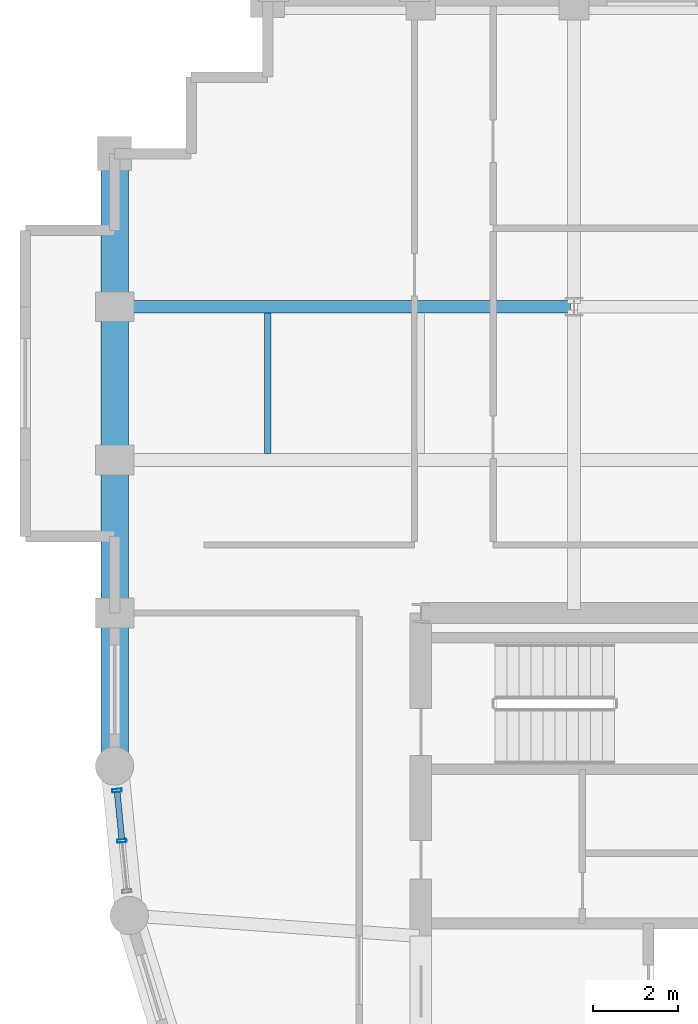
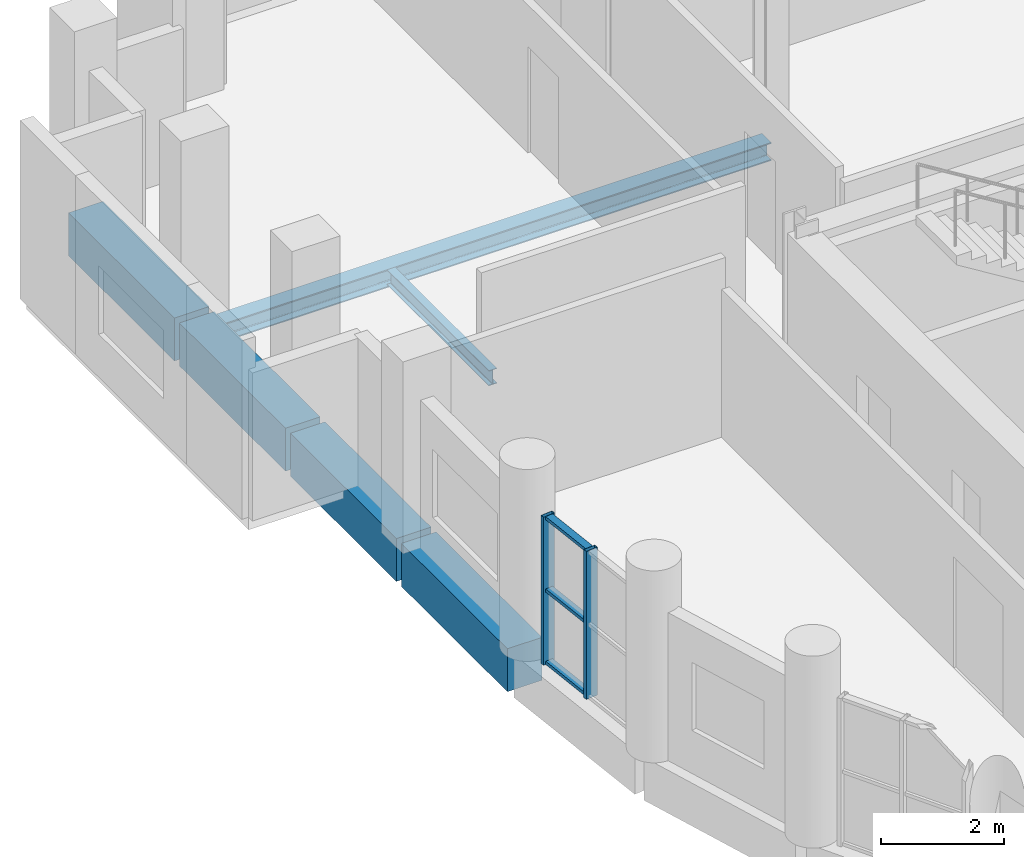
# One storey, part 6 of 12: 6 beams, 5 members, 1 element without a shape of its own.
"""IFC4 building model written with IfcOpenShell, lengths in metres."""

from ifc_helpers import new_model, si_unit, direction, frame, origin, origin_2d, place, context, subcontext, project, spatial, rectangle, hollow_rectangle, i_section, extrude, material, layer, layer_set, material_profile, profile_set, type_object, element, aggregate, save


model = new_model("IFC4")

# Units and contexts
model_context = context("Model", 3, precision=1e-05, world=origin(), true_north=direction((0.0, 1.0)))
body_context = subcontext(model_context, "Body", "Model", "MODEL_VIEW")
ifc_project = project(units=[si_unit("LENGTHUNIT", "METRE"), si_unit("AREAUNIT", "SQUARE_METRE"), si_unit("VOLUMEUNIT", "CUBIC_METRE"), si_unit("PLANEANGLEUNIT", "RADIAN"), si_unit("MASSUNIT", "GRAM", prefix="KILO")], contexts=[model_context])

# Site, building, storey
site_placement = place(None, origin())
site = spatial("IfcSite", under=ifc_project, at=site_placement, CompositionType="ELEMENT")
building_placement = place(site_placement, origin())
building = spatial("IfcBuilding", under=site, at=building_placement, Name="Solnavia Interchange Tower", CompositionType="ELEMENT")
storey_placement = place(building_placement, frame((0.0, 0.0, 193.800048828125)))
storey = spatial("IfcBuildingStorey", under=building, at=storey_placement, Name="L48", CompositionType="ELEMENT", Elevation=193.800048828125)

# Beams
ifc_material_1 = material(Name="Steel S460", Category="steel")
ifc_material_profile_1 = material_profile(ifc_material_1, i_section(OverallWidth=0.300048828125, OverallDepth=0.360107421875, WebThickness=0.012451171875, FlangeThickness=0.0224609375, FilletRadius=0.027099609375, at=origin_2d()), Name="HEB 360")
ifc_profile_set_1 = profile_set([ifc_material_profile_1], Name="Steel S460")
beam_type_1 = type_object("IfcBeamType", Name="Beam-Girder-HEB360", PredefinedType="BEAM", material=ifc_profile_set_1)
beam_1_placement = place(storey_placement, frame((7.280029296875, 32.39990234375, -0.429931640625), z_axis=(1.0, 0.0, 0.0), x_axis=(0.0, 1.0, 0.0)))
element("IfcBeam", 1, at=beam_1_placement, inside=storey, type_object=beam_type_1, Name="GRD-L48-NW10 North wing primary floor girder", PredefinedType="BEAM", context=body_context, shape_type="SweptSolid", body=[
    extrude(i_section(OverallWidth=0.300048828125, OverallDepth=0.360107421875, WebThickness=0.012451171875, FlangeThickness=0.0224609375, FilletRadius=0.027099609375, at=origin_2d()), origin(), (0.0, 0.0, 1.0), 10.639892578125),
])
ifc_material_2 = material(Name="Steel S355", Category="steel")
ifc_material_profile_2 = material_profile(ifc_material_2, i_section(OverallWidth=0.14990234375, OverallDepth=0.300048828125, WebThickness=0.007080078125, FlangeThickness=0.0107421875, FilletRadius=0.014892578125, at=origin_2d()), Name="IPE 300")
ifc_profile_set_2 = profile_set([ifc_material_profile_2], Name="Steel S355")
beam_type_2 = type_object("IfcBeamType", Name="Beam-Joist-IPE300", PredefinedType="JOIST", material=ifc_profile_set_2)
beam_2_placement = place(storey_placement, frame((10.800048828125, 28.949951171875, -0.400146484375), z_axis=(0.0, 1.0, 0.0), x_axis=(-1.0, 0.0, 0.0)))
element("IfcBeam", 2, at=beam_2_placement, inside=storey, type_object=beam_type_2, Name="JST-L48-N09 North wing secondary joist", PredefinedType="JOIST", context=body_context, shape_type="SweptSolid", body=[
    extrude(i_section(OverallWidth=0.14990234375, OverallDepth=0.300048828125, WebThickness=0.007080078125, FlangeThickness=0.0107421875, FilletRadius=0.014892578125, at=origin_2d()), origin(), (0.0, 0.0, 1.0), 3.300048828125),
])
ifc_material_3 = material(Name="Concrete C50/60", Category="concrete")
ifc_material_profile_3 = material_profile(ifc_material_3, rectangle(XDim=0.64990234375, YDim=0.85009765625, at=origin_2d()), Name="RC 650x850")
ifc_profile_set_3 = profile_set([ifc_material_profile_3], Name="Concrete C50/60")
beam_type_3 = type_object("IfcBeamType", Name="Beam-Spandrel-RC650x850", PredefinedType="SPANDREL", material=ifc_profile_set_3)
beam_3_placement = place(storey_placement, frame((7.199951171875, 35.919921875, -0.425048828125), z_axis=(0.0, -1.0, 0.0), x_axis=(1.0, 0.0, 0.0)))
element("IfcBeam", 3, at=beam_3_placement, inside=storey, type_object=beam_type_3, Name="SPB-L48-30 Framed-tube perimeter spandrel beam", PredefinedType="SPANDREL", context=body_context, shape_type="SweptSolid", body=[
    extrude(rectangle(XDim=0.64990234375, YDim=0.85009765625, at=origin_2d()), origin(), (0.0, 0.0, 1.0), 3.43994140625),
])
beam_4_placement = place(storey_placement, frame((7.199951171875, 32.320068359375, -0.425048828125), z_axis=(0.0, -1.0, 0.0), x_axis=(1.0, 0.0, 0.0)))
element("IfcBeam", 4, at=beam_4_placement, inside=storey, type_object=beam_type_3, Name="SPB-L48-31 Framed-tube perimeter spandrel beam", PredefinedType="SPANDREL", context=body_context, shape_type="SweptSolid", body=[
    extrude(rectangle(XDim=0.64990234375, YDim=0.85009765625, at=origin_2d()), origin(), (0.0, 0.0, 1.0), 3.440185546875),
])
beam_5_placement = place(storey_placement, frame((7.199951171875, 28.719970703125, -0.425048828125), z_axis=(0.0, -1.0, 0.0), x_axis=(1.0, 0.0, 0.0)))
element("IfcBeam", 5, at=beam_5_placement, inside=storey, type_object=beam_type_3, Name="SPB-L48-32 Framed-tube perimeter spandrel beam", PredefinedType="SPANDREL", context=body_context, shape_type="SweptSolid", body=[
    extrude(rectangle(XDim=0.64990234375, YDim=0.85009765625, at=origin_2d()), origin(), (0.0, 0.0, 1.0), 3.43994140625),
])
beam_6_placement = place(storey_placement, frame((7.199951171875, 25.1201171875, -0.425048828125), z_axis=(0.0, -1.0, 0.0), x_axis=(1.0, 0.0, 0.0)))
element("IfcBeam", 6, at=beam_6_placement, inside=storey, type_object=beam_type_3, Name="SPB-L48-33 Framed-tube perimeter spandrel beam", PredefinedType="SPANDREL", context=body_context, shape_type="SweptSolid", body=[
    extrude(rectangle(XDim=0.64990234375, YDim=0.85009765625, at=origin_2d()), origin(), (0.0, 0.0, 1.0), 3.440185546875),
])

# Curtain wall, members
ifc_material_4 = material(Name="Aluminium Alloy 6063-T6", Category="aluminium")
ifc_layer = layer(ifc_material_4, 0.239990234375)
ifc_layer_set = layer_set([ifc_layer], Name="Aluminium Alloy 6063-T6")
curtain_wall_type = type_object("IfcCurtainWallType", Name="CurtainWall-Drum-CTW2", PredefinedType="NOTDEFINED", material=ifc_layer_set)
curtain_wall_placement = place(storey_placement, origin())
curtain_wall = element("IfcCurtainWall", 7, at=curtain_wall_placement, inside=storey, type_object=curtain_wall_type, Name="CTW-L48-D47 CTW-2 curtain wall", PredefinedType="NOTDEFINED")
ifc_material_profile_4 = material_profile(ifc_material_4, hollow_rectangle(XDim=0.074951171875, YDim=0.219970703125, WallThickness=0.0048828125, at=origin_2d()), Name="ALU 220x75x5")
ifc_profile_set_4 = profile_set([ifc_material_profile_4], Name="Aluminium Alloy 6063-T6")
member_type_1 = type_object("IfcMemberType", Name="CW-Mullion-CWM-2", PredefinedType="MULLION", material=ifc_profile_set_4)
member_1_placement = place(storey_placement, frame((7.25634765625, 21.02783203125, 0.0), z_axis=(0.0, 0.0, 1.0), x_axis=(0.098043088306, -0.995182170678, 0.0)))
member_1 = element("IfcMember", 8, at=member_1_placement, type_object=member_type_1, Name="CTW-2 mullion 1", PredefinedType="MULLION", context=body_context, shape_type="SweptSolid", body=[
    extrude(hollow_rectangle(XDim=0.074951171875, YDim=0.219970703125, WallThickness=0.0048828125, at=origin_2d()), origin(), (0.0, 0.0, 1.0), 2.929931640625),
])
member_2_placement = place(storey_placement, frame((7.373046875, 19.843994140625, 0.0), z_axis=(0.0, 0.0, 1.0), x_axis=(0.098043088306, -0.995182170678, 0.0)))
member_2 = element("IfcMember", 9, at=member_2_placement, type_object=member_type_1, Name="CTW-2 mullion 2", PredefinedType="MULLION", context=body_context, shape_type="SweptSolid", body=[
    extrude(hollow_rectangle(XDim=0.074951171875, YDim=0.219970703125, WallThickness=0.0048828125, at=origin_2d()), origin(), (0.0, 0.0, 1.0), 2.929931640625),
])
ifc_material_profile_5 = material_profile(ifc_material_4, hollow_rectangle(XDim=0.06494140625, YDim=0.139892578125, WallThickness=0.00390625, at=origin_2d()), Name="ALU 140x65x4")
ifc_profile_set_5 = profile_set([ifc_material_profile_5], Name="Aluminium Alloy 6063-T6")
member_type_2 = type_object("IfcMemberType", Name="CW-Transom-CWT-2", PredefinedType="USERDEFINED", material=ifc_profile_set_5)
member_3_placement = place(storey_placement, frame((7.260009765625, 20.990478515625, 0.032470703125), z_axis=(0.098137234257, -0.995172891136, 0.0), x_axis=(0.0, 0.0, 1.0)))
member_3 = element("IfcMember", 10, at=member_3_placement, type_object=member_type_2, Name="CTW-2 transom 1.1", ObjectType="TRANSOM", PredefinedType="USERDEFINED", context=body_context, shape_type="SweptSolid", body=[
    extrude(hollow_rectangle(XDim=0.06494140625, YDim=0.139892578125, WallThickness=0.00390625, at=origin_2d()), origin(), (0.0, 0.0, 1.0), 1.114501953125),
])
member_4_placement = place(storey_placement, frame((7.260009765625, 20.990478515625, 1.46484375), z_axis=(0.098137234257, -0.995172891136, 0.0), x_axis=(0.0, 0.0, 1.0)))
member_4 = element("IfcMember", 11, at=member_4_placement, type_object=member_type_2, Name="CTW-2 transom 1.2", ObjectType="TRANSOM", PredefinedType="USERDEFINED", context=body_context, shape_type="SweptSolid", body=[
    extrude(hollow_rectangle(XDim=0.06494140625, YDim=0.139892578125, WallThickness=0.00390625, at=origin_2d()), origin(), (0.0, 0.0, 1.0), 1.114501953125),
])
member_5_placement = place(storey_placement, frame((7.260009765625, 20.990478515625, 2.8974609375), z_axis=(0.098137234257, -0.995172891136, 0.0), x_axis=(0.0, 0.0, 1.0)))
member_5 = element("IfcMember", 12, at=member_5_placement, type_object=member_type_2, Name="CTW-2 transom 1.3", ObjectType="TRANSOM", PredefinedType="USERDEFINED", context=body_context, shape_type="SweptSolid", body=[
    extrude(hollow_rectangle(XDim=0.06494140625, YDim=0.139892578125, WallThickness=0.00390625, at=origin_2d()), origin(), (0.0, 0.0, 1.0), 1.114501953125),
])
aggregate(curtain_wall, [member_1, member_2, member_3, member_4, member_5])

save(model, "model.ifc")
